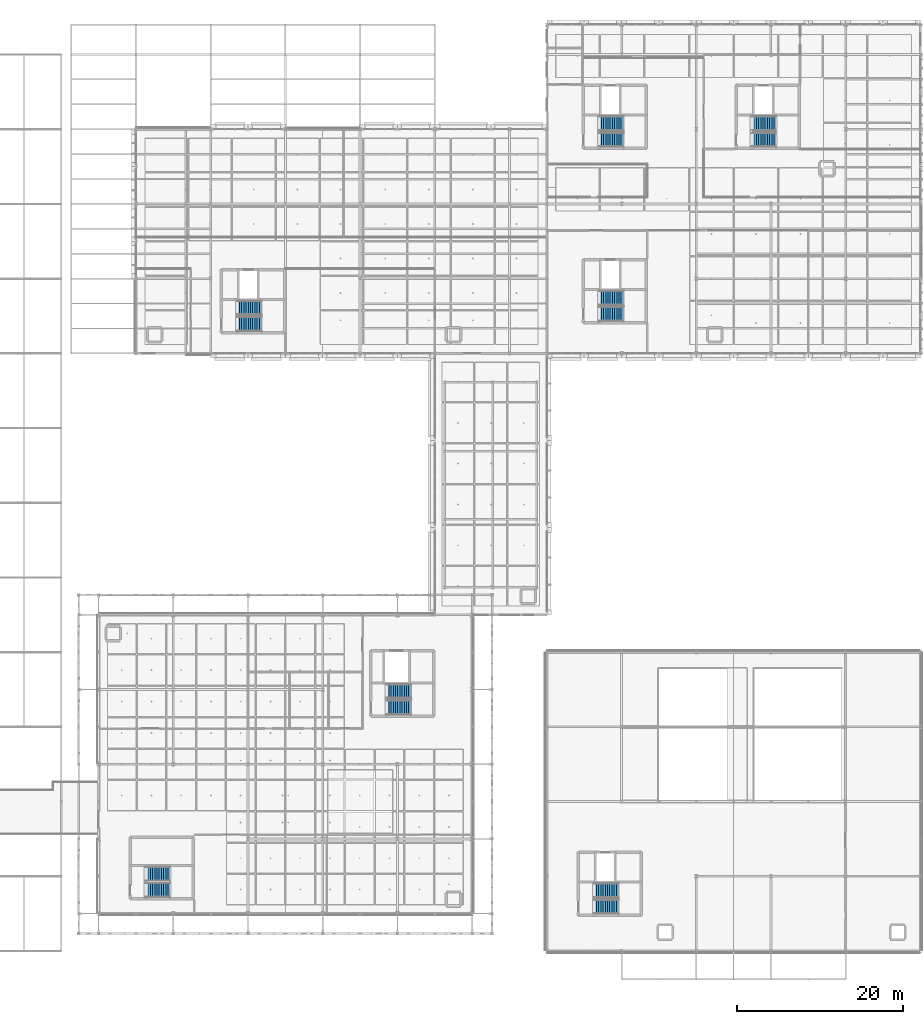
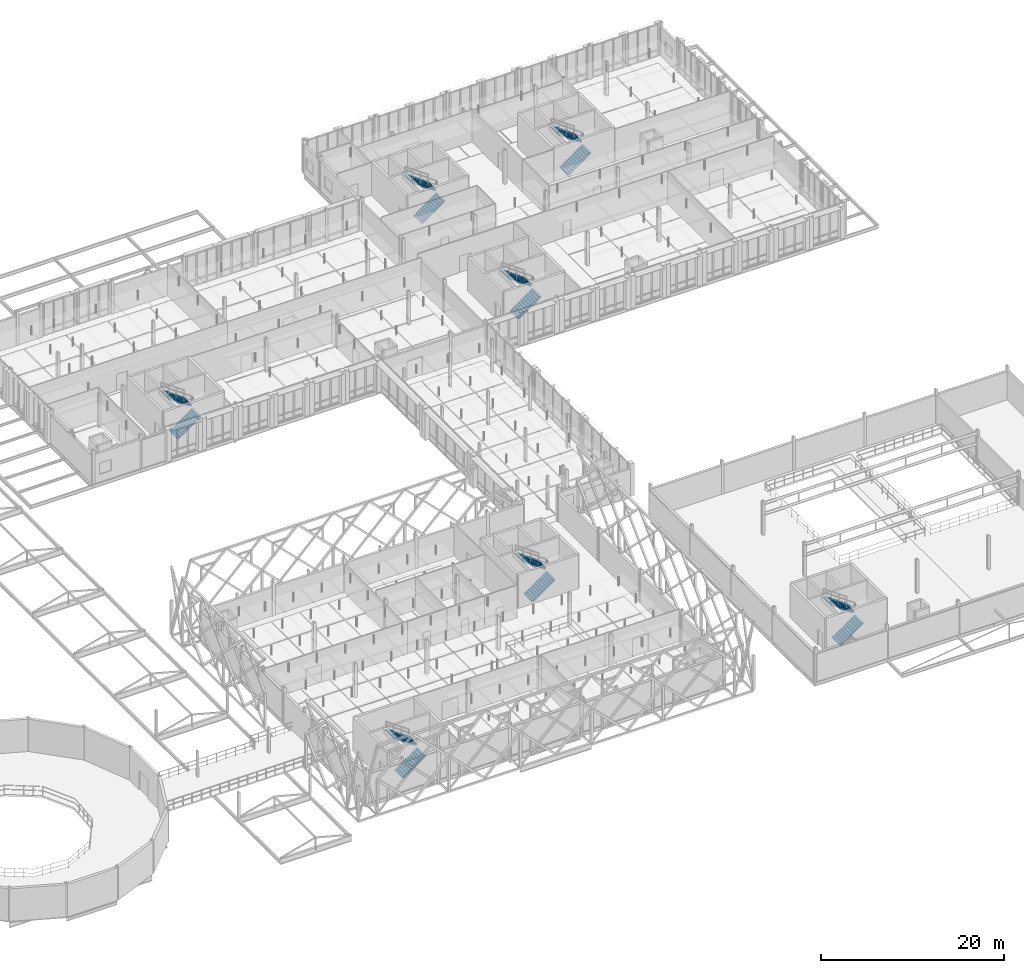
# One storey, part 95 of 140: 14 stair flights, 7 elements without a shape of their own.
"""IFC4 building model written with IfcOpenShell, lengths in metres."""

from ifc_helpers import new_model, si_unit, direction, frame, origin, place, context, subcontext, project, spatial, polyline, outline, extrude, material, type_object, element, aggregate, save


model = new_model("IFC4")

# Units and contexts
model_context = context("Model", 3, precision=1e-05, world=origin(), true_north=direction((0.0, 1.0)))
body_context = subcontext(model_context, "Body", "Model", "MODEL_VIEW")
ifc_project = project(units=[si_unit("LENGTHUNIT", "METRE"), si_unit("AREAUNIT", "SQUARE_METRE"), si_unit("VOLUMEUNIT", "CUBIC_METRE"), si_unit("PLANEANGLEUNIT", "RADIAN"), si_unit("MASSUNIT", "GRAM", prefix="KILO"), si_unit("THERMODYNAMICTEMPERATUREUNIT", "KELVIN"), si_unit("POWERUNIT", "WATT")], contexts=[model_context])

# Site, building, storey
site_placement = place(None, origin())
site = spatial("IfcSite", under=ifc_project, at=site_placement, CompositionType="ELEMENT")
building_placement = place(site_placement, origin())
building = spatial("IfcBuilding", under=site, at=building_placement, Name="Tallowbark Science Centre", CompositionType="ELEMENT")
storey_placement = place(building_placement, frame((0.0, 0.0, 9.89990234375)))
storey = spatial("IfcBuildingStorey", under=building, at=storey_placement, Name="L02", CompositionType="ELEMENT", Elevation=9.89990234375)

# Stair, stair flights
ifc_material = material(Name="Concrete Grade N40 (40 MPa)", Category="concrete")
stair_type_1 = type_object("IfcStairType", Name="STR-C1", PredefinedType="HALF_TURN_STAIR", material=ifc_material)
stair_1_placement = place(storey_placement, origin())
stair_1 = element("IfcStair", 1, at=stair_1_placement, inside=storey, type_object=stair_type_1, Name="L02 Fire Stair ST-01", PredefinedType="HALF_TURN_STAIR")
stair_flight_type_1 = type_object("IfcStairFlightType", Name="SFL-C1", PredefinedType="STRAIGHT", material=ifc_material)
stair_flight_1_placement = place(storey_placement, frame((75.2099609375, 75.530029296875, 0.0), z_axis=(0.0, 0.0, 1.0), x_axis=(1.0, 0.0, 0.0)))
stair_flight_1 = element("IfcStairFlight", 2, at=stair_flight_1_placement, type_object=stair_flight_type_1, Name="ST-01 flight 1", NumberOfRisers=12, NumberOfTreads=11, PredefinedType="STRAIGHT", RiserHeight=0.1875, TreadLength=0.265, context=body_context, shape_type="SweptSolid", body=[
    extrude(outline(polyline([(0.0, 0.0), (0.0, 0.1875), (0.264892578125, 0.1875), (0.264892578125, 0.375), (0.530029296875, 0.375), (0.530029296875, 0.5625), (0.794921875, 0.5625), (0.794921875, 0.75), (1.06005859375, 0.75), (1.06005859375, 0.9375), (1.324951171875, 0.9375), (1.324951171875, 1.125), (1.590087890625, 1.125), (1.590087890625, 1.3125), (1.85498046875, 1.3125), (1.85498046875, 1.5), (2.1201171875, 1.5), (2.1201171875, 1.6875), (2.385009765625, 1.6875), (2.385009765625, 1.875), (2.64990234375, 1.875), (2.64990234375, 2.0625), (2.9150390625, 2.0625), (2.9150390625, 2.25), (2.9150390625, 1.87890625), (0.259521484375, 0.0), (0.0, 0.0)])), frame((0.0, 0.8798828125, 0.0), z_axis=(0.0, -1.0, 0.0), x_axis=(1.0, 0.0, 0.0)), (0.0, 0.0, 1.0), 1.760009765625),
])
stair_flight_2_placement = place(storey_placement, frame((78.125, 77.489990234375, 2.25), z_axis=(0.0, 0.0, 1.0), x_axis=(-1.0, 0.0, 0.0)))
stair_flight_2 = element("IfcStairFlight", 3, at=stair_flight_2_placement, type_object=stair_flight_type_1, Name="ST-01 flight 2", NumberOfRisers=12, NumberOfTreads=11, PredefinedType="STRAIGHT", RiserHeight=0.1875, TreadLength=0.265, context=body_context, shape_type="SweptSolid", body=[
    extrude(outline(polyline([(0.0, 0.0), (0.0, 0.1875), (0.264892578125, 0.1875), (0.264892578125, 0.375), (0.530029296875, 0.375), (0.530029296875, 0.5625), (0.794921875, 0.5625), (0.794921875, 0.75), (1.06005859375, 0.75), (1.06005859375, 0.9375), (1.324951171875, 0.9375), (1.324951171875, 1.125), (1.590087890625, 1.125), (1.590087890625, 1.3125), (1.85498046875, 1.3125), (1.85498046875, 1.5), (2.1201171875, 1.5), (2.1201171875, 1.6875), (2.385009765625, 1.6875), (2.385009765625, 1.875), (2.64990234375, 1.875), (2.64990234375, 2.0625), (2.9150390625, 2.0625), (2.9150390625, 2.25), (2.9150390625, 1.87890625), (0.259521484375, 0.0), (0.0, 0.0)])), frame((0.0, 0.8798828125, 0.0), z_axis=(0.0, -1.0, 0.0), x_axis=(1.0, 0.0, 0.0)), (0.0, 0.0, 1.0), 1.760009765625),
])
aggregate(stair_1, [stair_flight_1, stair_flight_2])

stair_type_2 = type_object("IfcStairType", Name="STR-C2", PredefinedType="HALF_TURN_STAIR", material=ifc_material)
stair_2_placement = place(storey_placement, origin())
stair_2 = element("IfcStair", 4, at=stair_2_placement, inside=storey, type_object=stair_type_2, Name="L02 Fire Stair ST-02", PredefinedType="HALF_TURN_STAIR")
stair_flight_type_2 = type_object("IfcStairFlightType", Name="SFL-C2", PredefinedType="STRAIGHT", material=ifc_material)
stair_flight_3_placement = place(storey_placement, frame((118.81005859375, 76.72998046875, 0.0), z_axis=(0.0, 0.0, 1.0), x_axis=(1.0, 0.0, 0.0)))
stair_flight_3 = element("IfcStairFlight", 5, at=stair_flight_3_placement, type_object=stair_flight_type_2, Name="ST-02 flight 1", NumberOfRisers=12, NumberOfTreads=11, PredefinedType="STRAIGHT", RiserHeight=0.1875, TreadLength=0.265, context=body_context, shape_type="SweptSolid", body=[
    extrude(outline(polyline([(0.0, 0.0), (0.0, 0.1875), (0.264892578125, 0.1875), (0.264892578125, 0.375), (0.530029296875, 0.375), (0.530029296875, 0.5625), (0.794921875, 0.5625), (0.794921875, 0.75), (1.06005859375, 0.75), (1.06005859375, 0.9375), (1.324951171875, 0.9375), (1.324951171875, 1.125), (1.590087890625, 1.125), (1.590087890625, 1.3125), (1.85498046875, 1.3125), (1.85498046875, 1.5), (2.1201171875, 1.5), (2.1201171875, 1.6875), (2.385009765625, 1.6875), (2.385009765625, 1.875), (2.64990234375, 1.875), (2.64990234375, 2.0625), (2.9150390625, 2.0625), (2.9150390625, 2.25), (2.9150390625, 1.87890625), (0.259521484375, 0.0), (0.0, 0.0)])), frame((0.0, 0.8798828125, 0.0), z_axis=(0.0, -1.0, 0.0), x_axis=(1.0, 0.0, 0.0)), (0.0, 0.0, 1.0), 1.760009765625),
])
stair_flight_4_placement = place(storey_placement, frame((121.72509765625, 78.68994140625, 2.25), z_axis=(0.0, 0.0, 1.0), x_axis=(-1.0, 0.0, 0.0)))
stair_flight_4 = element("IfcStairFlight", 6, at=stair_flight_4_placement, type_object=stair_flight_type_2, Name="ST-02 flight 2", NumberOfRisers=12, NumberOfTreads=11, PredefinedType="STRAIGHT", RiserHeight=0.1875, TreadLength=0.265, context=body_context, shape_type="SweptSolid", body=[
    extrude(outline(polyline([(0.0, 0.0), (0.0, 0.1875), (0.264892578125, 0.1875), (0.264892578125, 0.375), (0.530029296875, 0.375), (0.530029296875, 0.5625), (0.794921875, 0.5625), (0.794921875, 0.75), (1.06005859375, 0.75), (1.06005859375, 0.9375), (1.324951171875, 0.9375), (1.324951171875, 1.125), (1.590087890625, 1.125), (1.590087890625, 1.3125), (1.85498046875, 1.3125), (1.85498046875, 1.5), (2.1201171875, 1.5), (2.1201171875, 1.6875), (2.385009765625, 1.6875), (2.385009765625, 1.875), (2.64990234375, 1.875), (2.64990234375, 2.0625), (2.9150390625, 2.0625), (2.9150390625, 2.25), (2.9150390625, 1.87890625), (0.259521484375, 0.0), (0.0, 0.0)])), frame((0.0, 0.8798828125, 0.0), z_axis=(0.0, -1.0, 0.0), x_axis=(1.0, 0.0, 0.0)), (0.0, 0.0, 1.0), 1.760009765625),
])
aggregate(stair_2, [stair_flight_3, stair_flight_4])

stair_type_3 = type_object("IfcStairType", Name="STR-C3", PredefinedType="HALF_TURN_STAIR", material=ifc_material)
stair_3_placement = place(storey_placement, origin())
stair_3 = element("IfcStair", 7, at=stair_3_placement, inside=storey, type_object=stair_type_3, Name="L02 Fire Stair ST-03", PredefinedType="HALF_TURN_STAIR")
stair_flight_type_3 = type_object("IfcStairFlightType", Name="SFL-C3", PredefinedType="STRAIGHT", material=ifc_material)
stair_flight_5_placement = place(storey_placement, frame((93.2099609375, 29.330078125, 0.0), z_axis=(0.0, 0.0, 1.0), x_axis=(1.0, 0.0, 0.0)))
stair_flight_5 = element("IfcStairFlight", 8, at=stair_flight_5_placement, type_object=stair_flight_type_3, Name="ST-03 flight 1", NumberOfRisers=12, NumberOfTreads=11, PredefinedType="STRAIGHT", RiserHeight=0.1875, TreadLength=0.265, context=body_context, shape_type="SweptSolid", body=[
    extrude(outline(polyline([(0.0, 0.0), (0.0, 0.1875), (0.264892578125, 0.1875), (0.264892578125, 0.375), (0.530029296875, 0.375), (0.530029296875, 0.5625), (0.794921875, 0.5625), (0.794921875, 0.75), (1.06005859375, 0.75), (1.06005859375, 0.9375), (1.324951171875, 0.9375), (1.324951171875, 1.125), (1.590087890625, 1.125), (1.590087890625, 1.3125), (1.85498046875, 1.3125), (1.85498046875, 1.5), (2.1201171875, 1.5), (2.1201171875, 1.6875), (2.385009765625, 1.6875), (2.385009765625, 1.875), (2.64990234375, 1.875), (2.64990234375, 2.0625), (2.9150390625, 2.0625), (2.9150390625, 2.25), (2.9150390625, 1.87890625), (0.259521484375, 0.0), (0.0, 0.0)])), frame((0.0, 0.8798828125, 0.0), z_axis=(0.0, -1.0, 0.0), x_axis=(1.0, 0.0, 0.0)), (0.0, 0.0, 1.0), 1.760009765625),
])
stair_flight_6_placement = place(storey_placement, frame((96.125, 31.2900390625, 2.25), z_axis=(0.0, 0.0, 1.0), x_axis=(-1.0, 0.0, 0.0)))
stair_flight_6 = element("IfcStairFlight", 9, at=stair_flight_6_placement, type_object=stair_flight_type_3, Name="ST-03 flight 2", NumberOfRisers=12, NumberOfTreads=11, PredefinedType="STRAIGHT", RiserHeight=0.1875, TreadLength=0.265, context=body_context, shape_type="SweptSolid", body=[
    extrude(outline(polyline([(0.0, 0.0), (0.0, 0.1875), (0.264892578125, 0.1875), (0.264892578125, 0.375), (0.530029296875, 0.375), (0.530029296875, 0.5625), (0.794921875, 0.5625), (0.794921875, 0.75), (1.06005859375, 0.75), (1.06005859375, 0.9375), (1.324951171875, 0.9375), (1.324951171875, 1.125), (1.590087890625, 1.125), (1.590087890625, 1.3125), (1.85498046875, 1.3125), (1.85498046875, 1.5), (2.1201171875, 1.5), (2.1201171875, 1.6875), (2.385009765625, 1.6875), (2.385009765625, 1.875), (2.64990234375, 1.875), (2.64990234375, 2.0625), (2.9150390625, 2.0625), (2.9150390625, 2.25), (2.9150390625, 1.87890625), (0.259521484375, 0.0), (0.0, 0.0)])), frame((0.0, 0.8798828125, 0.0), z_axis=(0.0, -1.0, 0.0), x_axis=(1.0, 0.0, 0.0)), (0.0, 0.0, 1.0), 1.760009765625),
])
aggregate(stair_3, [stair_flight_5, stair_flight_6])

stair_type_4 = type_object("IfcStairType", Name="STR-C4", PredefinedType="HALF_TURN_STAIR", material=ifc_material)
stair_4_placement = place(storey_placement, origin())
stair_4 = element("IfcStair", 10, at=stair_4_placement, inside=storey, type_object=stair_type_4, Name="L02 Fire Stair ST-04", PredefinedType="HALF_TURN_STAIR")
stair_flight_type_4 = type_object("IfcStairFlightType", Name="SFL-C4", PredefinedType="STRAIGHT", material=ifc_material)
stair_flight_7_placement = place(storey_placement, frame((137.2099609375, 97.72998046875, 0.0), z_axis=(0.0, 0.0, 1.0), x_axis=(1.0, 0.0, 0.0)))
stair_flight_7 = element("IfcStairFlight", 11, at=stair_flight_7_placement, type_object=stair_flight_type_4, Name="ST-04 flight 1", NumberOfRisers=12, NumberOfTreads=11, PredefinedType="STRAIGHT", RiserHeight=0.1875, TreadLength=0.265, context=body_context, shape_type="SweptSolid", body=[
    extrude(outline(polyline([(0.0, 0.0), (0.0, 0.1875), (0.264892578125, 0.1875), (0.264892578125, 0.375), (0.530029296875, 0.375), (0.530029296875, 0.5625), (0.794921875, 0.5625), (0.794921875, 0.75), (1.06005859375, 0.75), (1.06005859375, 0.9375), (1.324951171875, 0.9375), (1.324951171875, 1.125), (1.590087890625, 1.125), (1.590087890625, 1.3125), (1.85498046875, 1.3125), (1.85498046875, 1.5), (2.1201171875, 1.5), (2.1201171875, 1.6875), (2.385009765625, 1.6875), (2.385009765625, 1.875), (2.64990234375, 1.875), (2.64990234375, 2.0625), (2.9150390625, 2.0625), (2.9150390625, 2.25), (2.9150390625, 1.87890625), (0.259521484375, 0.0), (0.0, 0.0)])), frame((0.0, 0.8798828125, 0.0), z_axis=(0.0, -1.0, 0.0), x_axis=(1.0, 0.0, 0.0)), (0.0, 0.0, 1.0), 1.760009765625),
])
stair_flight_8_placement = place(storey_placement, frame((140.125, 99.68994140625, 2.25), z_axis=(0.0, 0.0, 1.0), x_axis=(-1.0, 0.0, 0.0)))
stair_flight_8 = element("IfcStairFlight", 12, at=stair_flight_8_placement, type_object=stair_flight_type_4, Name="ST-04 flight 2", NumberOfRisers=12, NumberOfTreads=11, PredefinedType="STRAIGHT", RiserHeight=0.1875, TreadLength=0.265, context=body_context, shape_type="SweptSolid", body=[
    extrude(outline(polyline([(0.0, 0.0), (0.0, 0.1875), (0.264892578125, 0.1875), (0.264892578125, 0.375), (0.530029296875, 0.375), (0.530029296875, 0.5625), (0.794921875, 0.5625), (0.794921875, 0.75), (1.06005859375, 0.75), (1.06005859375, 0.9375), (1.324951171875, 0.9375), (1.324951171875, 1.125), (1.590087890625, 1.125), (1.590087890625, 1.3125), (1.85498046875, 1.3125), (1.85498046875, 1.5), (2.1201171875, 1.5), (2.1201171875, 1.6875), (2.385009765625, 1.6875), (2.385009765625, 1.875), (2.64990234375, 1.875), (2.64990234375, 2.0625), (2.9150390625, 2.0625), (2.9150390625, 2.25), (2.9150390625, 1.87890625), (0.259521484375, 0.0), (0.0, 0.0)])), frame((0.0, 0.8798828125, 0.0), z_axis=(0.0, -1.0, 0.0), x_axis=(1.0, 0.0, 0.0)), (0.0, 0.0, 1.0), 1.760009765625),
])
aggregate(stair_4, [stair_flight_7, stair_flight_8])

stair_type_5 = type_object("IfcStairType", Name="STR-C5", PredefinedType="HALF_TURN_STAIR", material=ifc_material)
stair_5_placement = place(storey_placement, origin())
stair_5 = element("IfcStair", 13, at=stair_5_placement, inside=storey, type_object=stair_type_5, Name="L02 Fire Stair ST-05", PredefinedType="HALF_TURN_STAIR")
stair_flight_type_5 = type_object("IfcStairFlightType", Name="SFL-C5", PredefinedType="STRAIGHT", material=ifc_material)
stair_flight_9_placement = place(storey_placement, frame((118.81005859375, 97.72998046875, 0.0), z_axis=(0.0, 0.0, 1.0), x_axis=(1.0, 0.0, 0.0)))
stair_flight_9 = element("IfcStairFlight", 14, at=stair_flight_9_placement, type_object=stair_flight_type_5, Name="ST-05 flight 1", NumberOfRisers=12, NumberOfTreads=11, PredefinedType="STRAIGHT", RiserHeight=0.1875, TreadLength=0.265, context=body_context, shape_type="SweptSolid", body=[
    extrude(outline(polyline([(0.0, 0.0), (0.0, 0.1875), (0.264892578125, 0.1875), (0.264892578125, 0.375), (0.530029296875, 0.375), (0.530029296875, 0.5625), (0.794921875, 0.5625), (0.794921875, 0.75), (1.06005859375, 0.75), (1.06005859375, 0.9375), (1.324951171875, 0.9375), (1.324951171875, 1.125), (1.590087890625, 1.125), (1.590087890625, 1.3125), (1.85498046875, 1.3125), (1.85498046875, 1.5), (2.1201171875, 1.5), (2.1201171875, 1.6875), (2.385009765625, 1.6875), (2.385009765625, 1.875), (2.64990234375, 1.875), (2.64990234375, 2.0625), (2.9150390625, 2.0625), (2.9150390625, 2.25), (2.9150390625, 1.87890625), (0.259521484375, 0.0), (0.0, 0.0)])), frame((0.0, 0.8798828125, 0.0), z_axis=(0.0, -1.0, 0.0), x_axis=(1.0, 0.0, 0.0)), (0.0, 0.0, 1.0), 1.760009765625),
])
stair_flight_10_placement = place(storey_placement, frame((121.72509765625, 99.68994140625, 2.25), z_axis=(0.0, 0.0, 1.0), x_axis=(-1.0, 0.0, 0.0)))
stair_flight_10 = element("IfcStairFlight", 15, at=stair_flight_10_placement, type_object=stair_flight_type_5, Name="ST-05 flight 2", NumberOfRisers=12, NumberOfTreads=11, PredefinedType="STRAIGHT", RiserHeight=0.1875, TreadLength=0.265, context=body_context, shape_type="SweptSolid", body=[
    extrude(outline(polyline([(0.0, 0.0), (0.0, 0.1875), (0.264892578125, 0.1875), (0.264892578125, 0.375), (0.530029296875, 0.375), (0.530029296875, 0.5625), (0.794921875, 0.5625), (0.794921875, 0.75), (1.06005859375, 0.75), (1.06005859375, 0.9375), (1.324951171875, 0.9375), (1.324951171875, 1.125), (1.590087890625, 1.125), (1.590087890625, 1.3125), (1.85498046875, 1.3125), (1.85498046875, 1.5), (2.1201171875, 1.5), (2.1201171875, 1.6875), (2.385009765625, 1.6875), (2.385009765625, 1.875), (2.64990234375, 1.875), (2.64990234375, 2.0625), (2.9150390625, 2.0625), (2.9150390625, 2.25), (2.9150390625, 1.87890625), (0.259521484375, 0.0), (0.0, 0.0)])), frame((0.0, 0.8798828125, 0.0), z_axis=(0.0, -1.0, 0.0), x_axis=(1.0, 0.0, 0.0)), (0.0, 0.0, 1.0), 1.760009765625),
])
aggregate(stair_5, [stair_flight_9, stair_flight_10])

stair_type_6 = type_object("IfcStairType", Name="STR-C6", PredefinedType="HALF_TURN_STAIR", material=ifc_material)
stair_6_placement = place(storey_placement, origin())
stair_6 = element("IfcStair", 16, at=stair_6_placement, inside=storey, type_object=stair_type_6, Name="L02 Fire Stair ST-06", PredefinedType="HALF_TURN_STAIR")
stair_flight_type_6 = type_object("IfcStairFlightType", Name="SFL-C6", PredefinedType="STRAIGHT", material=ifc_material)
stair_flight_11_placement = place(storey_placement, frame((118.2099609375, 5.330078125, 0.0), z_axis=(0.0, 0.0, 1.0), x_axis=(1.0, 0.0, 0.0)))
stair_flight_11 = element("IfcStairFlight", 17, at=stair_flight_11_placement, type_object=stair_flight_type_6, Name="ST-06 flight 1", NumberOfRisers=12, NumberOfTreads=11, PredefinedType="STRAIGHT", RiserHeight=0.1875, TreadLength=0.265, context=body_context, shape_type="SweptSolid", body=[
    extrude(outline(polyline([(0.0, 0.0), (0.0, 0.1875), (0.264892578125, 0.1875), (0.264892578125, 0.375), (0.530029296875, 0.375), (0.530029296875, 0.5625), (0.794921875, 0.5625), (0.794921875, 0.75), (1.06005859375, 0.75), (1.06005859375, 0.9375), (1.324951171875, 0.9375), (1.324951171875, 1.125), (1.590087890625, 1.125), (1.590087890625, 1.3125), (1.85498046875, 1.3125), (1.85498046875, 1.5), (2.1201171875, 1.5), (2.1201171875, 1.6875), (2.385009765625, 1.6875), (2.385009765625, 1.875), (2.64990234375, 1.875), (2.64990234375, 2.0625), (2.9150390625, 2.0625), (2.9150390625, 2.25), (2.9150390625, 1.87890625), (0.259521484375, 0.0), (0.0, 0.0)])), frame((0.0, 0.8798828125, 0.0), z_axis=(0.0, -1.0, 0.0), x_axis=(1.0, 0.0, 0.0)), (0.0, 0.0, 1.0), 1.760009765625),
])
stair_flight_12_placement = place(storey_placement, frame((121.125, 7.2900390625, 2.25), z_axis=(0.0, 0.0, 1.0), x_axis=(-1.0, 0.0, 0.0)))
stair_flight_12 = element("IfcStairFlight", 18, at=stair_flight_12_placement, type_object=stair_flight_type_6, Name="ST-06 flight 2", NumberOfRisers=12, NumberOfTreads=11, PredefinedType="STRAIGHT", RiserHeight=0.1875, TreadLength=0.265, context=body_context, shape_type="SweptSolid", body=[
    extrude(outline(polyline([(0.0, 0.0), (0.0, 0.1875), (0.264892578125, 0.1875), (0.264892578125, 0.375), (0.530029296875, 0.375), (0.530029296875, 0.5625), (0.794921875, 0.5625), (0.794921875, 0.75), (1.06005859375, 0.75), (1.06005859375, 0.9375), (1.324951171875, 0.9375), (1.324951171875, 1.125), (1.590087890625, 1.125), (1.590087890625, 1.3125), (1.85498046875, 1.3125), (1.85498046875, 1.5), (2.1201171875, 1.5), (2.1201171875, 1.6875), (2.385009765625, 1.6875), (2.385009765625, 1.875), (2.64990234375, 1.875), (2.64990234375, 2.0625), (2.9150390625, 2.0625), (2.9150390625, 2.25), (2.9150390625, 1.87890625), (0.259521484375, 0.0), (0.0, 0.0)])), frame((0.0, 0.8798828125, 0.0), z_axis=(0.0, -1.0, 0.0), x_axis=(1.0, 0.0, 0.0)), (0.0, 0.0, 1.0), 1.760009765625),
])
aggregate(stair_6, [stair_flight_11, stair_flight_12])

stair_type_7 = type_object("IfcStairType", Name="STR-C7", PredefinedType="HALF_TURN_STAIR", material=ifc_material)
stair_7_placement = place(storey_placement, origin())
stair_7 = element("IfcStair", 19, at=stair_7_placement, inside=storey, type_object=stair_type_7, Name="L02 Fire Stair ST-07", PredefinedType="HALF_TURN_STAIR")
stair_flight_type_7 = type_object("IfcStairFlightType", Name="SFL-C7", PredefinedType="STRAIGHT", material=ifc_material)
stair_flight_13_placement = place(storey_placement, frame((64.2099609375, 7.330078125, 0.0), z_axis=(0.0, 0.0, 1.0), x_axis=(1.0, 0.0, 0.0)))
stair_flight_13 = element("IfcStairFlight", 20, at=stair_flight_13_placement, type_object=stair_flight_type_7, Name="ST-07 flight 1", NumberOfRisers=12, NumberOfTreads=11, PredefinedType="STRAIGHT", RiserHeight=0.1875, TreadLength=0.265, context=body_context, shape_type="SweptSolid", body=[
    extrude(outline(polyline([(0.0, 0.0), (0.0, 0.1875), (0.264892578125, 0.1875), (0.264892578125, 0.375), (0.530029296875, 0.375), (0.530029296875, 0.5625), (0.794921875, 0.5625), (0.794921875, 0.75), (1.06005859375, 0.75), (1.06005859375, 0.9375), (1.324951171875, 0.9375), (1.324951171875, 1.125), (1.590087890625, 1.125), (1.590087890625, 1.3125), (1.85498046875, 1.3125), (1.85498046875, 1.5), (2.1201171875, 1.5), (2.1201171875, 1.6875), (2.385009765625, 1.6875), (2.385009765625, 1.875), (2.64990234375, 1.875), (2.64990234375, 2.0625), (2.9150390625, 2.0625), (2.9150390625, 2.25), (2.9150390625, 1.87890625), (0.259521484375, 0.0), (0.0, 0.0)])), frame((0.0, 0.8798828125, 0.0), z_axis=(0.0, -1.0, 0.0), x_axis=(1.0, 0.0, 0.0)), (0.0, 0.0, 1.0), 1.760009765625),
])
stair_flight_14_placement = place(storey_placement, frame((67.125, 9.2900390625, 2.25), z_axis=(0.0, 0.0, 1.0), x_axis=(-1.0, 0.0, 0.0)))
stair_flight_14 = element("IfcStairFlight", 21, at=stair_flight_14_placement, type_object=stair_flight_type_7, Name="ST-07 flight 2", NumberOfRisers=12, NumberOfTreads=11, PredefinedType="STRAIGHT", RiserHeight=0.1875, TreadLength=0.265, context=body_context, shape_type="SweptSolid", body=[
    extrude(outline(polyline([(0.0, 0.0), (0.0, 0.1875), (0.264892578125, 0.1875), (0.264892578125, 0.375), (0.530029296875, 0.375), (0.530029296875, 0.5625), (0.794921875, 0.5625), (0.794921875, 0.75), (1.06005859375, 0.75), (1.06005859375, 0.9375), (1.324951171875, 0.9375), (1.324951171875, 1.125), (1.590087890625, 1.125), (1.590087890625, 1.3125), (1.85498046875, 1.3125), (1.85498046875, 1.5), (2.1201171875, 1.5), (2.1201171875, 1.6875), (2.385009765625, 1.6875), (2.385009765625, 1.875), (2.64990234375, 1.875), (2.64990234375, 2.0625), (2.9150390625, 2.0625), (2.9150390625, 2.25), (2.9150390625, 1.87890625), (0.259521484375, 0.0), (0.0, 0.0)])), frame((0.0, 0.8798828125, 0.0), z_axis=(0.0, -1.0, 0.0), x_axis=(1.0, 0.0, 0.0)), (0.0, 0.0, 1.0), 1.760009765625),
])
aggregate(stair_7, [stair_flight_13, stair_flight_14])

save(model, "model.ifc")
